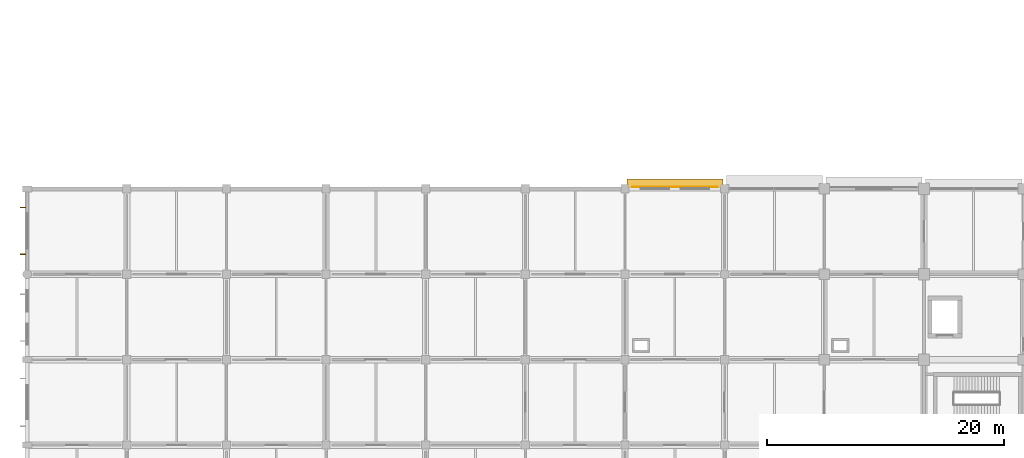
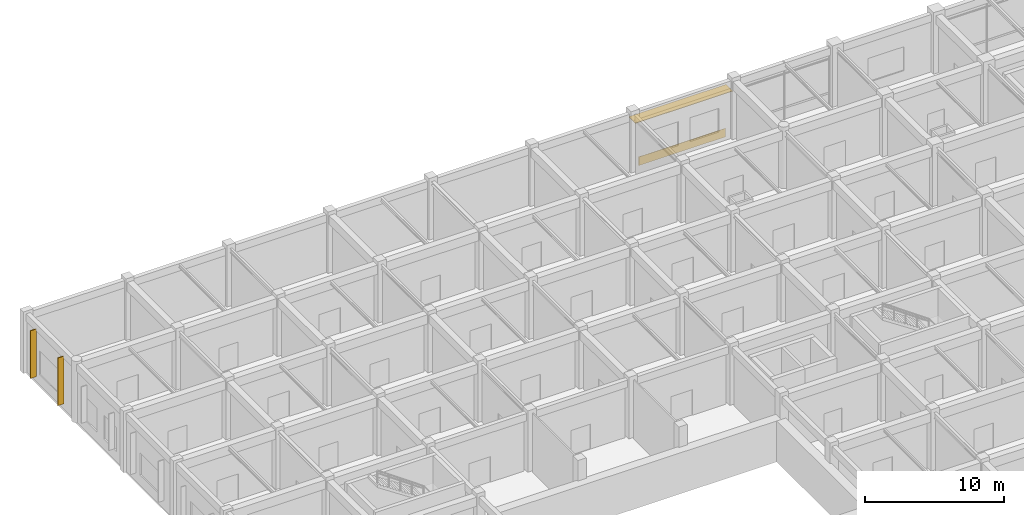
# One storey, part 37 of 41: 3 shading devices, 1 covering.
"""IFC4 building model written with IfcOpenShell, lengths in metres."""

from ifc_helpers import new_model, si_unit, derived_unit, direction, frame, origin, origin_2d, place, context, subcontext, project, spatial, rectangle, extrude, material, layer, layer_set, type_object, element, save


model = new_model("IFC4")

# Units and contexts
model_context = context("Model", 3, precision=1e-05, world=origin(), true_north=direction((0.0, 1.0)))
body_context = subcontext(model_context, "Body", "Model", "MODEL_VIEW")
ifc_project = project(units=[si_unit("LENGTHUNIT", "METRE"), si_unit("AREAUNIT", "SQUARE_METRE"), si_unit("VOLUMEUNIT", "CUBIC_METRE"), si_unit("PLANEANGLEUNIT", "RADIAN"), si_unit("MASSUNIT", "GRAM", prefix="KILO"), derived_unit("THERMALTRANSMITTANCEUNIT", [(si_unit("MASSUNIT", "GRAM", prefix="KILO"), 1), (si_unit("TIMEUNIT", "SECOND"), -3), (si_unit("THERMODYNAMICTEMPERATUREUNIT", "KELVIN"), -1)])], contexts=[model_context])

# Site, building, storey
site_placement = place(None, origin())
site = spatial("IfcSite", under=ifc_project, at=site_placement, CompositionType="ELEMENT")
building_placement = place(site_placement, origin())
building = spatial("IfcBuilding", under=site, at=building_placement, Name="Veldstrom Oceanarium and Marine Research Institute", CompositionType="ELEMENT")
storey_placement = place(building_placement, frame((0.0, 0.0, 6.0)))
storey = spatial("IfcBuildingStorey", under=building, at=storey_placement, Name="L01", CompositionType="ELEMENT", Elevation=6.0)

# Covering
ifc_material_1 = material(Name="Anodised Aluminium Spandrel Rainscreen Cladding", Category="aluminium")
ifc_layer_1 = layer(ifc_material_1, 0.75)
ifc_layer_set_1 = layer_set([ifc_layer_1], Name="ARC-COV-CD1")
covering_type = type_object("IfcCoveringType", Name="ARC-COV-CD1", PredefinedType="CLADDING", material=ifc_layer_set_1)
covering_placement = place(storey_placement, frame((54.60009765625, 72.16845703125, 0.044921875), z_axis=(0.0, 0.0, 1.0), x_axis=(1.0, 0.0, 0.0)))
element("IfcCovering", 1, at=covering_placement, inside=storey, type_object=covering_type, Name="Spandrel Rainscreen Cladding L01-036", PredefinedType="CLADDING", context=body_context, shape_type="SweptSolid", body=[
    extrude(rectangle(XDim=7.199951171875, YDim=0.034912109375, at=origin_2d()), origin(), (0.0, 0.0, 1.0), 0.75),
])

# Shading devices
ifc_material_2 = material(Name="Precast Terracotta Brise-Soleil Louvre", Category="masonry")
ifc_layer_2 = layer(ifc_material_2, 4.199951171875)
ifc_layer_set_2 = layer_set([ifc_layer_2], Name="ARC-SHD-BS03")
shading_device_type_1 = type_object("IfcShadingDeviceType", Name="ARC-SHD-BS03", PredefinedType="JALOUSIE", material=ifc_layer_set_2)
for number, where, z_axis, x_axis, name in (
    (2, (-0.3525390625, 66.489990234375, 0.4375), (0.0, 0.0, 1.0), (1.0, 0.0, 0.0), "Terracotta Brise-Soleil Louvre L01-030"),
    (3, (-0.3525390625, 70.43505859375, 0.4375), (0.0, 0.0, 1.0), (1.0, 0.0, 0.0), "Terracotta Brise-Soleil Louvre L01-030"),
):
    element("IfcShadingDevice", number, at=place(storey_placement, frame(where, z_axis=z_axis, x_axis=x_axis)), inside=storey, type_object=shading_device_type_1, Name=name, PredefinedType="JALOUSIE", context=body_context, shape_type="SweptSolid", body=[
        extrude(rectangle(XDim=0.5, YDim=0.06494140625, at=origin_2d()), origin(), (0.0, 0.0, 1.0), 4.199951171875),
    ])
ifc_material_3 = material(Name="Perforated Anodised Aluminium Louvre", Category="aluminium")
ifc_layer_3 = layer(ifc_material_3, 0.044921875)
ifc_layer_set_3 = layer_set([ifc_layer_3], Name="ARC-SHD-SH03")
shading_device_type_2 = type_object("IfcShadingDeviceType", Name="ARC-SHD-SH03", PredefinedType="AWNING", material=ifc_layer_set_3)
shading_device_placement = place(storey_placement, frame((54.60009765625, 72.35498046875, 4.050048828125), z_axis=(0.0, 0.0, 1.0), x_axis=(1.0, 0.0, 0.0)))
element("IfcShadingDevice", 4, at=shading_device_placement, inside=storey, type_object=shading_device_type_2, Name="North Solar Canopy Louvre L01-7", PredefinedType="AWNING", context=body_context, shape_type="SweptSolid", body=[
    extrude(rectangle(XDim=8.10009765625, YDim=0.949951171875, at=origin_2d()), origin(), (0.0, 0.0, 1.0), 0.044921875),
])

save(model, "model.ifc")
